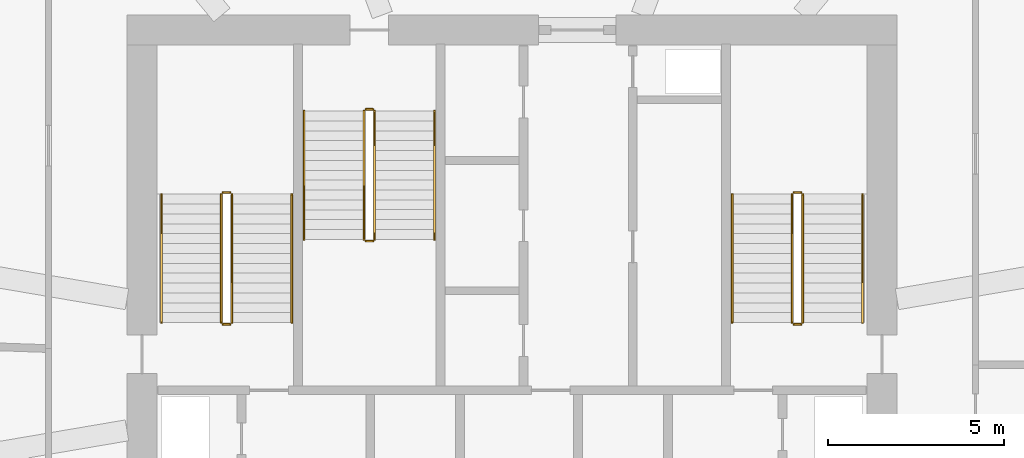
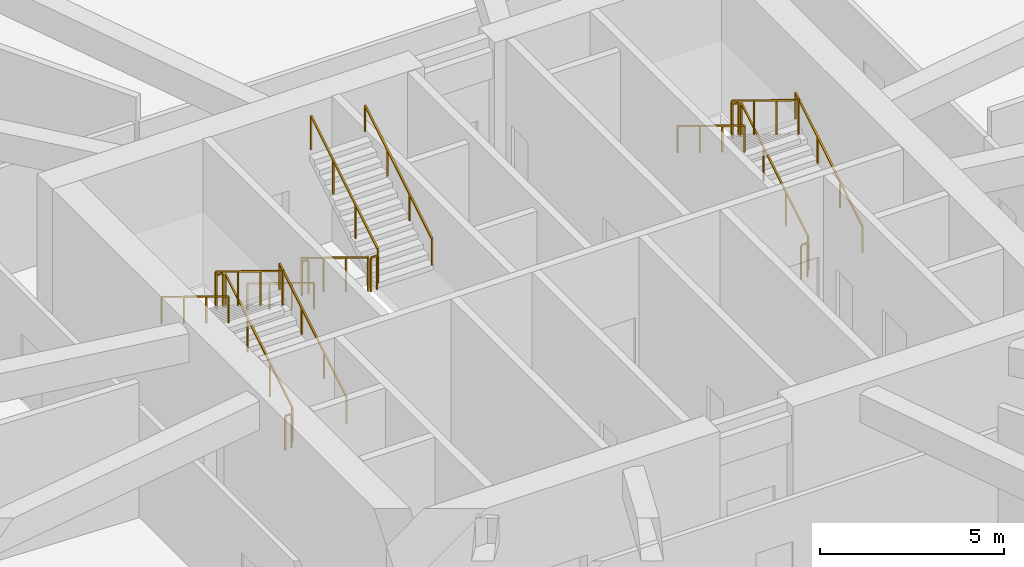
# One storey, part 10 of 10: 18 railings.
"""IFC4 building model written with IfcOpenShell, lengths in metres."""

from ifc_helpers import new_model, si_unit, direction, frame, origin, origin_2d, place, context, subcontext, project, spatial, rectangle, extrude, material, type_object, element, save


model = new_model("IFC4")

# Units and contexts
model_context = context("Model", 3, precision=1e-05, world=origin(), true_north=direction((0.0, 1.0)))
body_context = subcontext(model_context, "Body", "Model", "MODEL_VIEW")
ifc_project = project(units=[si_unit("LENGTHUNIT", "METRE"), si_unit("AREAUNIT", "SQUARE_METRE"), si_unit("VOLUMEUNIT", "CUBIC_METRE"), si_unit("PLANEANGLEUNIT", "RADIAN"), si_unit("MASSUNIT", "GRAM", prefix="KILO")], contexts=[model_context])

# Site, building, storey
site_placement = place(None, origin())
site = spatial("IfcSite", under=ifc_project, at=site_placement, CompositionType="ELEMENT")
building_placement = place(site_placement, origin())
building = spatial("IfcBuilding", under=site, at=building_placement, Name="Zuhravey Tower", CompositionType="ELEMENT")
storey_placement = place(building_placement, frame((0.0, 0.0, -4.800048828125)))
storey = spatial("IfcBuildingStorey", under=building, at=storey_placement, Name="B01", CompositionType="ELEMENT", Elevation=-4.800048828125)

# Railings
ifc_material_1 = material(Name="Brushed stainless steel", Category="steel")
railing_type_1 = type_object("IfcRailingType", Name="Stair Wall Handrail 900", PredefinedType="HANDRAIL", material=ifc_material_1)
railing_1_placement = place(storey_placement, frame((29.75, 33.199951171875, 0.17138671875)))
element("IfcRailing", 1, at=railing_1_placement, inside=storey, type_object=railing_type_1, Name="B01 ST1 stair handrail 1", PredefinedType="HANDRAIL", context=body_context, shape_type="SweptSolid", body=[
    extrude(rectangle(XDim=0.048095703125, YDim=0.048095703125, at=origin_2d()), frame((0.0, 0.001708984375, 0.876953125), z_axis=(0.0, 0.852840387347, 0.522171689878), x_axis=(-1.0, 0.0, 0.0)), (0.0, 0.0, 1.0), 4.26416015625),
    extrude(rectangle(XDim=0.0419921875, YDim=0.0419921875, at=origin_2d()), origin(), (0.0, 0.0, 1.0), 0.849853515625),
    extrude(rectangle(XDim=0.0419921875, YDim=0.0419921875, at=origin_2d()), frame((0.0, 1.21337890625, 0.742919921875)), (0.0, 0.0, 1.0), 0.849853515625),
    extrude(rectangle(XDim=0.0419921875, YDim=0.0419921875, at=origin_2d()), frame((0.0, 2.4267578125, 1.48583984375)), (0.0, 0.0, 1.0), 0.849853515625),
    extrude(rectangle(XDim=0.0419921875, YDim=0.0419921875, at=origin_2d()), frame((0.0, 3.64013671875, 2.228759765625)), (0.0, 0.0, 1.0), 0.849853515625),
])
railing_2_placement = place(storey_placement, frame((26.050048828125, 36.840087890625, 2.571533203125)))
element("IfcRailing", 2, at=railing_2_placement, inside=storey, type_object=railing_type_1, Name="B01 ST1 stair handrail 2", PredefinedType="HANDRAIL", context=body_context, shape_type="SweptSolid", body=[
    extrude(rectangle(XDim=0.048095703125, YDim=0.048095703125, at=origin_2d()), frame((0.0, -0.001708984375, 0.876953125), z_axis=(0.0, -0.852865859571, 0.52213008492), x_axis=(1.0, 0.0, 0.0)), (0.0, 0.0, 1.0), 4.26416015625),
    extrude(rectangle(XDim=0.0419921875, YDim=0.0419921875, at=origin_2d()), origin(), (0.0, 0.0, 1.0), 0.849853515625),
    extrude(rectangle(XDim=0.0419921875, YDim=0.0419921875, at=origin_2d()), frame((0.0, -1.21337890625, 0.742919921875)), (0.0, 0.0, 1.0), 0.849853515625),
    extrude(rectangle(XDim=0.0419921875, YDim=0.0419921875, at=origin_2d()), frame((0.0, -2.4267578125, 1.485595703125)), (0.0, 0.0, 1.0), 0.849853515625),
    extrude(rectangle(XDim=0.0419921875, YDim=0.0419921875, at=origin_2d()), frame((0.0, -3.64013671875, 2.228515625)), (0.0, 0.0, 1.0), 0.849853515625),
])
railing_3_placement = place(storey_placement, frame((45.949951171875, 33.199951171875, 0.17138671875)))
element("IfcRailing", 3, at=railing_3_placement, inside=storey, type_object=railing_type_1, Name="B01 ST2 stair handrail 1", PredefinedType="HANDRAIL", context=body_context, shape_type="SweptSolid", body=[
    extrude(rectangle(XDim=0.048095703125, YDim=0.048095703125, at=origin_2d()), frame((0.0, 0.001708984375, 0.876953125), z_axis=(0.0, 0.852840387347, 0.522171689878), x_axis=(-1.0, 0.0, 0.0)), (0.0, 0.0, 1.0), 4.26416015625),
    extrude(rectangle(XDim=0.0419921875, YDim=0.0419921875, at=origin_2d()), origin(), (0.0, 0.0, 1.0), 0.849853515625),
    extrude(rectangle(XDim=0.0419921875, YDim=0.0419921875, at=origin_2d()), frame((0.0, 1.21337890625, 0.742919921875)), (0.0, 0.0, 1.0), 0.849853515625),
    extrude(rectangle(XDim=0.0419921875, YDim=0.0419921875, at=origin_2d()), frame((0.0, 2.4267578125, 1.48583984375)), (0.0, 0.0, 1.0), 0.849853515625),
    extrude(rectangle(XDim=0.0419921875, YDim=0.0419921875, at=origin_2d()), frame((0.0, 3.64013671875, 2.228759765625)), (0.0, 0.0, 1.0), 0.849853515625),
])
railing_4_placement = place(storey_placement, frame((42.25, 36.840087890625, 2.571533203125)))
element("IfcRailing", 4, at=railing_4_placement, inside=storey, type_object=railing_type_1, Name="B01 ST2 stair handrail 2", PredefinedType="HANDRAIL", context=body_context, shape_type="SweptSolid", body=[
    extrude(rectangle(XDim=0.048095703125, YDim=0.048095703125, at=origin_2d()), frame((0.0, -0.001708984375, 0.876953125), z_axis=(0.0, -0.852865859571, 0.52213008492), x_axis=(1.0, 0.0, 0.0)), (0.0, 0.0, 1.0), 4.26416015625),
    extrude(rectangle(XDim=0.0419921875, YDim=0.0419921875, at=origin_2d()), origin(), (0.0, 0.0, 1.0), 0.849853515625),
    extrude(rectangle(XDim=0.0419921875, YDim=0.0419921875, at=origin_2d()), frame((0.0, -1.21337890625, 0.742919921875)), (0.0, 0.0, 1.0), 0.849853515625),
    extrude(rectangle(XDim=0.0419921875, YDim=0.0419921875, at=origin_2d()), frame((0.0, -2.4267578125, 1.485595703125)), (0.0, 0.0, 1.0), 0.849853515625),
    extrude(rectangle(XDim=0.0419921875, YDim=0.0419921875, at=origin_2d()), frame((0.0, -3.64013671875, 2.228515625)), (0.0, 0.0, 1.0), 0.849853515625),
])
railing_5_placement = place(storey_placement, frame((30.10009765625, 39.199951171875, 0.17138671875)))
element("IfcRailing", 5, at=railing_5_placement, inside=storey, type_object=railing_type_1, Name="B01 ST3 stair handrail 1", PredefinedType="HANDRAIL", context=body_context, shape_type="SweptSolid", body=[
    extrude(rectangle(XDim=0.048095703125, YDim=0.048095703125, at=origin_2d()), frame((0.0, -0.001708984375, 0.876953125), z_axis=(0.0, -0.852824790078, 0.522197163366), x_axis=(1.0, 0.0, 0.0)), (0.0, 0.0, 1.0), 4.26416015625),
    extrude(rectangle(XDim=0.0419921875, YDim=0.0419921875, at=origin_2d()), origin(), (0.0, 0.0, 1.0), 0.849853515625),
    extrude(rectangle(XDim=0.0419921875, YDim=0.0419921875, at=origin_2d()), frame((0.0, -1.21337890625, 0.742919921875)), (0.0, 0.0, 1.0), 0.849853515625),
    extrude(rectangle(XDim=0.0419921875, YDim=0.0419921875, at=origin_2d()), frame((0.0, -2.426513671875, 1.48583984375)), (0.0, 0.0, 1.0), 0.849853515625),
    extrude(rectangle(XDim=0.0419921875, YDim=0.0419921875, at=origin_2d()), frame((0.0, -3.639892578125, 2.228759765625)), (0.0, 0.0, 1.0), 0.849853515625),
])
railing_6_placement = place(storey_placement, frame((33.800048828125, 35.56005859375, 2.571533203125)))
element("IfcRailing", 6, at=railing_6_placement, inside=storey, type_object=railing_type_1, Name="B01 ST3 stair handrail 2", PredefinedType="HANDRAIL", context=body_context, shape_type="SweptSolid", body=[
    extrude(rectangle(XDim=0.048095703125, YDim=0.048095703125, at=origin_2d()), frame((0.0, 0.001708984375, 0.876953125), z_axis=(0.0, 0.852850264322, 0.5221555579), x_axis=(-1.0, 0.0, 0.0)), (0.0, 0.0, 1.0), 4.263916015625),
    extrude(rectangle(XDim=0.0419921875, YDim=0.0419921875, at=origin_2d()), origin(), (0.0, 0.0, 1.0), 0.849853515625),
    extrude(rectangle(XDim=0.0419921875, YDim=0.0419921875, at=origin_2d()), frame((0.0, 1.21337890625, 0.742919921875)), (0.0, 0.0, 1.0), 0.849853515625),
    extrude(rectangle(XDim=0.0419921875, YDim=0.0419921875, at=origin_2d()), frame((0.0, 2.426513671875, 1.485595703125)), (0.0, 0.0, 1.0), 0.849853515625),
    extrude(rectangle(XDim=0.0419921875, YDim=0.0419921875, at=origin_2d()), frame((0.0, 3.639892578125, 2.228515625)), (0.0, 0.0, 1.0), 0.849853515625),
])
ifc_material_2 = material(Name="Painted tubular steel", Category="steel")
railing_type_2 = type_object("IfcRailingType", Name="Stair Well Guardrail 1150", PredefinedType="GUARDRAIL", material=ifc_material_2)
railing_7_placement = place(storey_placement, frame((28.050048828125, 33.199951171875, 0.17138671875)))
element("IfcRailing", 7, at=railing_7_placement, inside=storey, type_object=railing_type_2, Name="B01 ST1 stair guard 1", PredefinedType="GUARDRAIL", context=body_context, shape_type="SweptSolid", body=[
    extrude(rectangle(XDim=0.048095703125, YDim=0.048095703125, at=origin_2d()), frame((0.0, 0.001708984375, 1.126953125), z_axis=(0.0, 0.852840387347, 0.522171689878), x_axis=(-1.0, 0.0, 0.0)), (0.0, 0.0, 1.0), 4.26416015625),
    extrude(rectangle(XDim=0.0419921875, YDim=0.0419921875, at=origin_2d()), origin(), (0.0, 0.0, 1.0), 1.099853515625),
    extrude(rectangle(XDim=0.0419921875, YDim=0.0419921875, at=origin_2d()), frame((0.0, 1.21337890625, 0.742919921875)), (0.0, 0.0, 1.0), 1.099853515625),
    extrude(rectangle(XDim=0.0419921875, YDim=0.0419921875, at=origin_2d()), frame((0.0, 2.4267578125, 1.48583984375)), (0.0, 0.0, 1.0), 1.099853515625),
    extrude(rectangle(XDim=0.0419921875, YDim=0.0419921875, at=origin_2d()), frame((0.0, 3.64013671875, 2.228759765625)), (0.0, 0.0, 1.0), 1.099853515625),
])
railing_8_placement = place(storey_placement, frame((28.0, 36.889892578125, 2.400146484375)))
element("IfcRailing", 8, at=railing_8_placement, inside=storey, type_object=railing_type_2, Name="B01 ST1 stair guard 2", PredefinedType="GUARDRAIL", context=body_context, shape_type="SweptSolid", body=[
    extrude(rectangle(XDim=0.048095703125, YDim=0.048095703125, at=origin_2d()), frame((-0.001953125, 0.0, 1.1259765625), z_axis=(-1.0, 0.0, 0.0), x_axis=(0.0, -1.0, 0.0)), (0.0, 0.0, 1.0), 0.196044921875),
    extrude(rectangle(XDim=0.0419921875, YDim=0.0419921875, at=origin_2d()), origin(), (0.0, 0.0, 1.0), 1.099853515625),
    extrude(rectangle(XDim=0.0419921875, YDim=0.0419921875, at=origin_2d()), frame((-0.199951171875, 0.0, 0.0)), (0.0, 0.0, 1.0), 1.099853515625),
])
railing_9_placement = place(storey_placement, frame((27.75, 36.840087890625, 2.571533203125)))
element("IfcRailing", 9, at=railing_9_placement, inside=storey, type_object=railing_type_2, Name="B01 ST1 stair guard 3", PredefinedType="GUARDRAIL", context=body_context, shape_type="SweptSolid", body=[
    extrude(rectangle(XDim=0.048095703125, YDim=0.048095703125, at=origin_2d()), frame((0.0, -0.001708984375, 1.126953125), z_axis=(0.0, -0.852865859571, 0.52213008492), x_axis=(1.0, 0.0, 0.0)), (0.0, 0.0, 1.0), 4.26416015625),
    extrude(rectangle(XDim=0.0419921875, YDim=0.0419921875, at=origin_2d()), origin(), (0.0, 0.0, 1.0), 1.099853515625),
    extrude(rectangle(XDim=0.0419921875, YDim=0.0419921875, at=origin_2d()), frame((0.0, -1.21337890625, 0.742919921875)), (0.0, 0.0, 1.0), 1.099853515625),
    extrude(rectangle(XDim=0.0419921875, YDim=0.0419921875, at=origin_2d()), frame((0.0, -2.4267578125, 1.485595703125)), (0.0, 0.0, 1.0), 1.099853515625),
    extrude(rectangle(XDim=0.0419921875, YDim=0.0419921875, at=origin_2d()), frame((0.0, -3.64013671875, 2.228515625)), (0.0, 0.0, 1.0), 1.099853515625),
])
railing_10_placement = place(storey_placement, frame((28.0, 33.14990234375, 0.0)))
element("IfcRailing", 10, at=railing_10_placement, inside=storey, type_object=railing_type_2, Name="B01 ST1 stair guard 4", PredefinedType="GUARDRAIL", context=body_context, shape_type="SweptSolid", body=[
    extrude(rectangle(XDim=0.048095703125, YDim=0.048095703125, at=origin_2d()), frame((-0.001953125, 0.0, 1.1259765625), z_axis=(-1.0, 0.0, 0.0), x_axis=(0.0, -1.0, 0.0)), (0.0, 0.0, 1.0), 0.196044921875),
    extrude(rectangle(XDim=0.0419921875, YDim=0.0419921875, at=origin_2d()), origin(), (0.0, 0.0, 1.0), 1.099853515625),
    extrude(rectangle(XDim=0.0419921875, YDim=0.0419921875, at=origin_2d()), frame((-0.199951171875, 0.0, 0.0)), (0.0, 0.0, 1.0), 1.099853515625),
])
railing_11_placement = place(storey_placement, frame((44.25, 33.199951171875, 0.17138671875)))
element("IfcRailing", 11, at=railing_11_placement, inside=storey, type_object=railing_type_2, Name="B01 ST2 stair guard 1", PredefinedType="GUARDRAIL", context=body_context, shape_type="SweptSolid", body=[
    extrude(rectangle(XDim=0.048095703125, YDim=0.048095703125, at=origin_2d()), frame((0.0, 0.001708984375, 1.126953125), z_axis=(0.0, 0.852840387347, 0.522171689878), x_axis=(-1.0, 0.0, 0.0)), (0.0, 0.0, 1.0), 4.26416015625),
    extrude(rectangle(XDim=0.0419921875, YDim=0.0419921875, at=origin_2d()), origin(), (0.0, 0.0, 1.0), 1.099853515625),
    extrude(rectangle(XDim=0.0419921875, YDim=0.0419921875, at=origin_2d()), frame((0.0, 1.21337890625, 0.742919921875)), (0.0, 0.0, 1.0), 1.099853515625),
    extrude(rectangle(XDim=0.0419921875, YDim=0.0419921875, at=origin_2d()), frame((0.0, 2.4267578125, 1.48583984375)), (0.0, 0.0, 1.0), 1.099853515625),
    extrude(rectangle(XDim=0.0419921875, YDim=0.0419921875, at=origin_2d()), frame((0.0, 3.64013671875, 2.228759765625)), (0.0, 0.0, 1.0), 1.099853515625),
])
railing_12_placement = place(storey_placement, frame((44.199951171875, 36.889892578125, 2.400146484375)))
element("IfcRailing", 12, at=railing_12_placement, inside=storey, type_object=railing_type_2, Name="B01 ST2 stair guard 2", PredefinedType="GUARDRAIL", context=body_context, shape_type="SweptSolid", body=[
    extrude(rectangle(XDim=0.048095703125, YDim=0.048095703125, at=origin_2d()), frame((-0.001953125, 0.0, 1.1259765625), z_axis=(-1.0, 0.0, 0.0), x_axis=(0.0, -1.0, 0.0)), (0.0, 0.0, 1.0), 0.196044921875),
    extrude(rectangle(XDim=0.0419921875, YDim=0.0419921875, at=origin_2d()), origin(), (0.0, 0.0, 1.0), 1.099853515625),
    extrude(rectangle(XDim=0.0419921875, YDim=0.0419921875, at=origin_2d()), frame((-0.199951171875, 0.0, 0.0)), (0.0, 0.0, 1.0), 1.099853515625),
])
railing_13_placement = place(storey_placement, frame((43.949951171875, 36.840087890625, 2.571533203125)))
element("IfcRailing", 13, at=railing_13_placement, inside=storey, type_object=railing_type_2, Name="B01 ST2 stair guard 3", PredefinedType="GUARDRAIL", context=body_context, shape_type="SweptSolid", body=[
    extrude(rectangle(XDim=0.048095703125, YDim=0.048095703125, at=origin_2d()), frame((0.0, -0.001708984375, 1.126953125), z_axis=(0.0, -0.852865859571, 0.52213008492), x_axis=(1.0, 0.0, 0.0)), (0.0, 0.0, 1.0), 4.26416015625),
    extrude(rectangle(XDim=0.0419921875, YDim=0.0419921875, at=origin_2d()), origin(), (0.0, 0.0, 1.0), 1.099853515625),
    extrude(rectangle(XDim=0.0419921875, YDim=0.0419921875, at=origin_2d()), frame((0.0, -1.21337890625, 0.742919921875)), (0.0, 0.0, 1.0), 1.099853515625),
    extrude(rectangle(XDim=0.0419921875, YDim=0.0419921875, at=origin_2d()), frame((0.0, -2.4267578125, 1.485595703125)), (0.0, 0.0, 1.0), 1.099853515625),
    extrude(rectangle(XDim=0.0419921875, YDim=0.0419921875, at=origin_2d()), frame((0.0, -3.64013671875, 2.228515625)), (0.0, 0.0, 1.0), 1.099853515625),
])
railing_14_placement = place(storey_placement, frame((44.199951171875, 33.14990234375, 0.0)))
element("IfcRailing", 14, at=railing_14_placement, inside=storey, type_object=railing_type_2, Name="B01 ST2 stair guard 4", PredefinedType="GUARDRAIL", context=body_context, shape_type="SweptSolid", body=[
    extrude(rectangle(XDim=0.048095703125, YDim=0.048095703125, at=origin_2d()), frame((-0.001953125, 0.0, 1.1259765625), z_axis=(-1.0, 0.0, 0.0), x_axis=(0.0, -1.0, 0.0)), (0.0, 0.0, 1.0), 0.196044921875),
    extrude(rectangle(XDim=0.0419921875, YDim=0.0419921875, at=origin_2d()), origin(), (0.0, 0.0, 1.0), 1.099853515625),
    extrude(rectangle(XDim=0.0419921875, YDim=0.0419921875, at=origin_2d()), frame((-0.199951171875, 0.0, 0.0)), (0.0, 0.0, 1.0), 1.099853515625),
])
railing_15_placement = place(storey_placement, frame((31.800048828125, 39.199951171875, 0.17138671875)))
element("IfcRailing", 15, at=railing_15_placement, inside=storey, type_object=railing_type_2, Name="B01 ST3 stair guard 1", PredefinedType="GUARDRAIL", context=body_context, shape_type="SweptSolid", body=[
    extrude(rectangle(XDim=0.048095703125, YDim=0.048095703125, at=origin_2d()), frame((0.0, -0.001708984375, 1.126953125), z_axis=(0.0, -0.852824790078, 0.522197163366), x_axis=(1.0, 0.0, 0.0)), (0.0, 0.0, 1.0), 4.26416015625),
    extrude(rectangle(XDim=0.0419921875, YDim=0.0419921875, at=origin_2d()), origin(), (0.0, 0.0, 1.0), 1.099853515625),
    extrude(rectangle(XDim=0.0419921875, YDim=0.0419921875, at=origin_2d()), frame((0.0, -1.21337890625, 0.742919921875)), (0.0, 0.0, 1.0), 1.099853515625),
    extrude(rectangle(XDim=0.0419921875, YDim=0.0419921875, at=origin_2d()), frame((0.0, -2.426513671875, 1.48583984375)), (0.0, 0.0, 1.0), 1.099853515625),
    extrude(rectangle(XDim=0.0419921875, YDim=0.0419921875, at=origin_2d()), frame((0.0, -3.639892578125, 2.228759765625)), (0.0, 0.0, 1.0), 1.099853515625),
])
railing_16_placement = place(storey_placement, frame((31.85009765625, 35.510009765625, 2.400146484375)))
element("IfcRailing", 16, at=railing_16_placement, inside=storey, type_object=railing_type_2, Name="B01 ST3 stair guard 2", PredefinedType="GUARDRAIL", context=body_context, shape_type="SweptSolid", body=[
    extrude(rectangle(XDim=0.048095703125, YDim=0.048095703125, at=origin_2d()), frame((0.001953125, 0.0, 1.1259765625), z_axis=(1.0, 0.0, 0.0), x_axis=(0.0, 1.0, 0.0)), (0.0, 0.0, 1.0), 0.196044921875),
    extrude(rectangle(XDim=0.0419921875, YDim=0.0419921875, at=origin_2d()), origin(), (0.0, 0.0, 1.0), 1.099853515625),
    extrude(rectangle(XDim=0.0419921875, YDim=0.0419921875, at=origin_2d()), frame((0.199951171875, 0.0, 0.0)), (0.0, 0.0, 1.0), 1.099853515625),
])
railing_17_placement = place(storey_placement, frame((32.10009765625, 35.56005859375, 2.571533203125)))
element("IfcRailing", 17, at=railing_17_placement, inside=storey, type_object=railing_type_2, Name="B01 ST3 stair guard 3", PredefinedType="GUARDRAIL", context=body_context, shape_type="SweptSolid", body=[
    extrude(rectangle(XDim=0.048095703125, YDim=0.048095703125, at=origin_2d()), frame((0.0, 0.001708984375, 1.126953125), z_axis=(0.0, 0.852850264322, 0.5221555579), x_axis=(-1.0, 0.0, 0.0)), (0.0, 0.0, 1.0), 4.263916015625),
    extrude(rectangle(XDim=0.0419921875, YDim=0.0419921875, at=origin_2d()), origin(), (0.0, 0.0, 1.0), 1.099853515625),
    extrude(rectangle(XDim=0.0419921875, YDim=0.0419921875, at=origin_2d()), frame((0.0, 1.21337890625, 0.742919921875)), (0.0, 0.0, 1.0), 1.099853515625),
    extrude(rectangle(XDim=0.0419921875, YDim=0.0419921875, at=origin_2d()), frame((0.0, 2.426513671875, 1.485595703125)), (0.0, 0.0, 1.0), 1.099853515625),
    extrude(rectangle(XDim=0.0419921875, YDim=0.0419921875, at=origin_2d()), frame((0.0, 3.639892578125, 2.228515625)), (0.0, 0.0, 1.0), 1.099853515625),
])
railing_18_placement = place(storey_placement, frame((31.85009765625, 39.25, 0.0)))
element("IfcRailing", 18, at=railing_18_placement, inside=storey, type_object=railing_type_2, Name="B01 ST3 stair guard 4", PredefinedType="GUARDRAIL", context=body_context, shape_type="SweptSolid", body=[
    extrude(rectangle(XDim=0.048095703125, YDim=0.048095703125, at=origin_2d()), frame((0.001953125, 0.0, 1.1259765625), z_axis=(1.0, 0.0, 0.0), x_axis=(0.0, 1.0, 0.0)), (0.0, 0.0, 1.0), 0.196044921875),
    extrude(rectangle(XDim=0.0419921875, YDim=0.0419921875, at=origin_2d()), origin(), (0.0, 0.0, 1.0), 1.099853515625),
    extrude(rectangle(XDim=0.0419921875, YDim=0.0419921875, at=origin_2d()), frame((0.199951171875, 0.0, 0.0)), (0.0, 0.0, 1.0), 1.099853515625),
])

save(model, "model.ifc")
